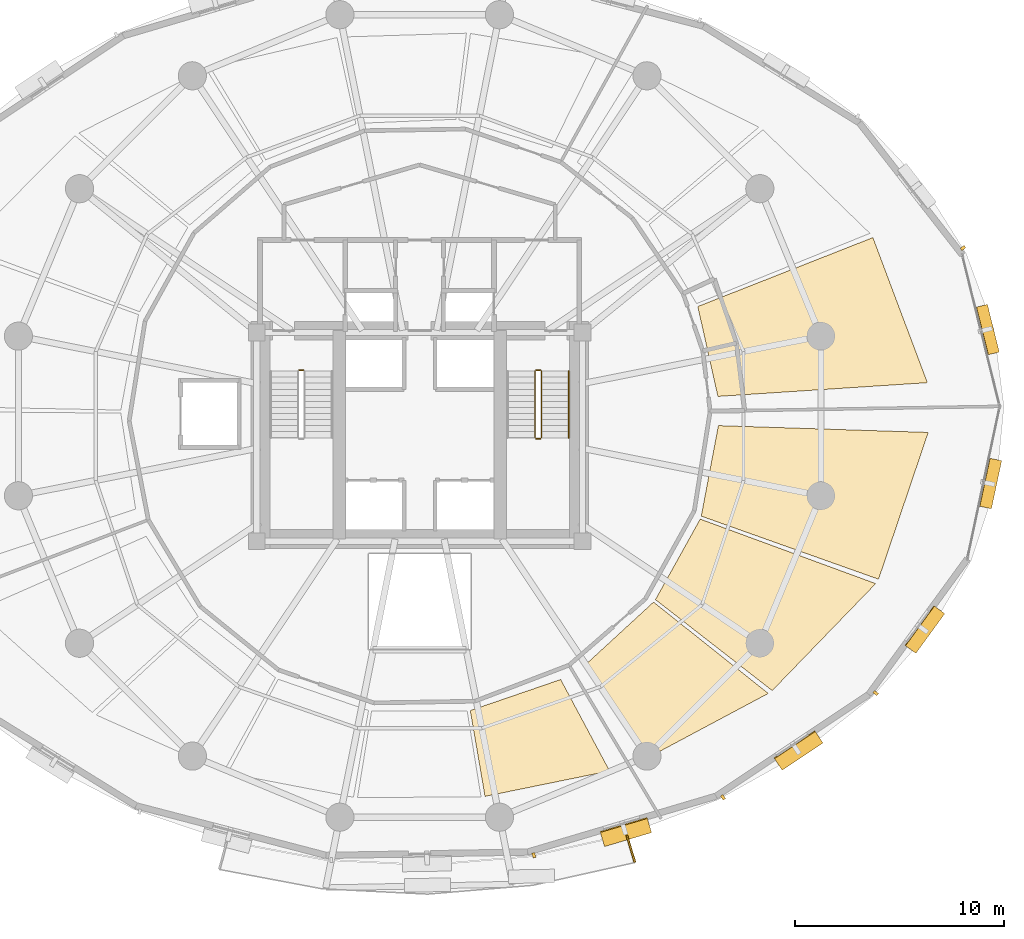
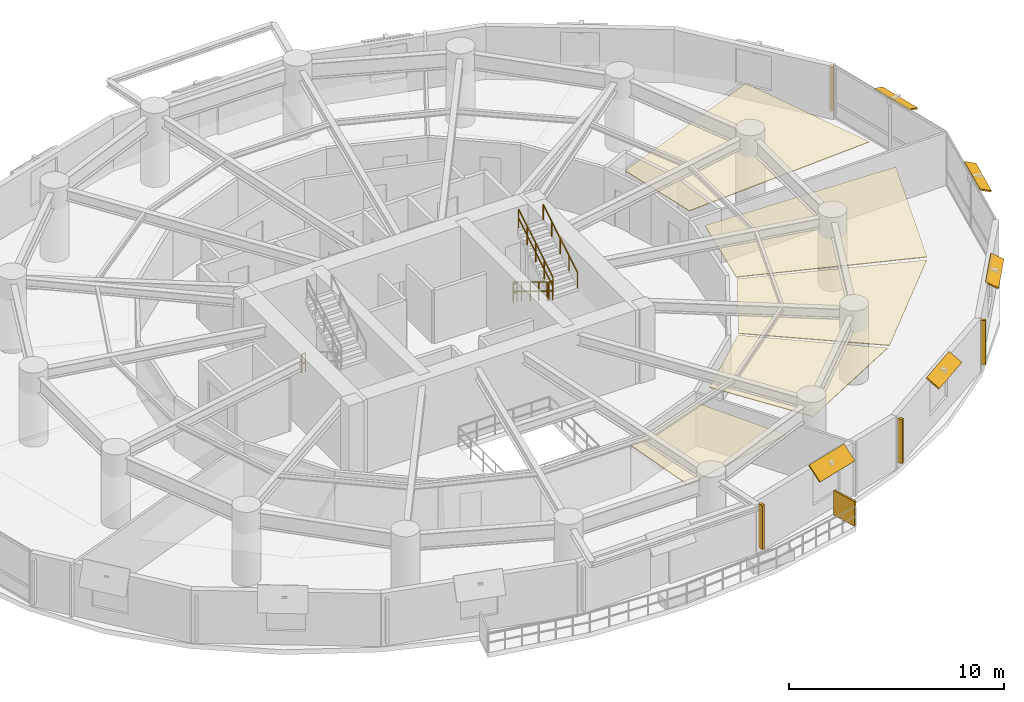
# One storey, part 16 of 17: 10 shading devices, 6 railings, 5 coverings.
"""IFC4 building model written with IfcOpenShell, lengths in metres."""

from ifc_helpers import new_model, si_unit, direction, frame, origin, origin_2d, place, context, subcontext, project, spatial, polyline, rectangle, outline, extrude, material, layer, layer_set, type_object, element, save


model = new_model("IFC4")

# Units and contexts
model_context = context("Model", 3, precision=1e-05, world=origin(), true_north=direction((0.0, 1.0)))
body_context = subcontext(model_context, "Body", "Model", "MODEL_VIEW")
ifc_project = project(units=[si_unit("LENGTHUNIT", "METRE"), si_unit("AREAUNIT", "SQUARE_METRE"), si_unit("VOLUMEUNIT", "CUBIC_METRE"), si_unit("PLANEANGLEUNIT", "RADIAN"), si_unit("MASSUNIT", "GRAM", prefix="KILO"), si_unit("THERMODYNAMICTEMPERATUREUNIT", "KELVIN"), si_unit("POWERUNIT", "WATT")], contexts=[model_context])

# Site, building, storey
site_placement = place(None, origin())
site = spatial("IfcSite", under=ifc_project, at=site_placement, CompositionType="ELEMENT")
building_placement = place(site_placement, origin())
building = spatial("IfcBuilding", under=site, at=building_placement, Name="Ocrelia Relay Tower", CompositionType="ELEMENT")
storey_placement = place(building_placement, frame((0.0, 0.0, 34.199951171875)))
storey = spatial("IfcBuildingStorey", under=building, at=storey_placement, Name="L07", CompositionType="ELEMENT", Elevation=34.199951171875)

# Coverings
ifc_material_1 = material(Name="Mineral-fiber acoustic ceiling tile", Category="gypsum")
ifc_layer_1 = layer(ifc_material_1, 0.0400390625, Name="Mineral-fiber acoustic ceiling tile")
ifc_layer_set_1 = layer_set([ifc_layer_1], Name="Mineral-fiber acoustic ceiling tile")
covering_type_1 = type_object("IfcCoveringType", Name="COV-CEIL-ACOUSTIC", PredefinedType="CEILING", material=ifc_layer_set_1)
covering_1_placement = place(storey_placement, frame((0.0, 0.0, 2.920166015625)))
element("IfcCovering", 1, at=covering_1_placement, inside=storey, type_object=covering_type_1, Name="L07 Operations Control Office Suspended Ceiling 1", PredefinedType="CEILING", context=body_context, shape_type="SweptSolid", body=[
    extrude(outline(polyline([(48.289306640625, 26.9365234375), (58.32568359375, 27.594482421875), (55.714111328125, 34.546142578125), (47.3251953125, 31.244384765625), (48.289306640625, 26.9365234375)])), origin(), (0.0, 0.0, 1.0), 0.039794921875),
])
ifc_material_2 = material(Name="Cleanroom metal-pan acoustic ceiling", Category="aluminium")
ifc_layer_2 = layer(ifc_material_2, 0.0400390625, Name="Cleanroom metal-pan acoustic ceiling")
ifc_layer_set_2 = layer_set([ifc_layer_2], Name="Cleanroom metal-pan acoustic ceiling")
covering_type_2 = type_object("IfcCoveringType", Name="COV-CEIL-CLEAN", PredefinedType="CEILING", material=ifc_layer_set_2)
covering_2_placement = place(storey_placement, frame((0.0, 0.0, 2.920166015625)))
element("IfcCovering", 2, at=covering_2_placement, inside=storey, type_object=covering_type_2, Name="L07 Hardware Testing Laboratory Suspended Ceiling 5", PredefinedType="CEILING", context=body_context, shape_type="SweptSolid", body=[
    extrude(outline(polyline([(36.425048828125, 11.88671875), (37.1318359375, 7.7734375), (43.1005859375, 8.991943359375), (40.755859375, 13.373779296875), (36.425048828125, 11.88671875)])), origin(), (0.0, 0.0, 1.0), 0.039794921875),
])
covering_3_placement = place(storey_placement, frame((0.0, 0.0, 2.920166015625)))
element("IfcCovering", 3, at=covering_3_placement, inside=storey, type_object=covering_type_2, Name="L07 Telemetry Operations Studio Suspended Ceiling 1", PredefinedType="CEILING", context=body_context, shape_type="SweptSolid", body=[
    extrude(outline(polyline([(41.955810546875, 14.093505859375), (44.93798828125, 9.6298828125), (50.70263671875, 12.7060546875), (45.204345703125, 17.082275390625), (41.955810546875, 14.093505859375)])), origin(), (0.0, 0.0, 1.0), 0.039794921875),
])
covering_4_placement = place(storey_placement, frame((0.0, 0.0, 2.920166015625)))
element("IfcCovering", 4, at=covering_4_placement, inside=storey, type_object=covering_type_2, Name="L07 Telemetry Operations Studio Suspended Ceiling 2", PredefinedType="CEILING", context=body_context, shape_type="SweptSolid", body=[
    extrude(outline(polyline([(45.297119140625, 17.2001953125), (50.891357421875, 12.842529296875), (55.849853515625, 17.968017578125), (47.440673828125, 21.05908203125), (45.297119140625, 17.2001953125)])), origin(), (0.0, 0.0, 1.0), 0.039794921875),
])
covering_5_placement = place(storey_placement, frame((0.0, 0.0, 2.920166015625)))
element("IfcCovering", 5, at=covering_5_placement, inside=storey, type_object=covering_type_2, Name="L07 Telemetry Operations Studio Suspended Ceiling 3", PredefinedType="CEILING", context=body_context, shape_type="SweptSolid", body=[
    extrude(outline(polyline([(47.49169921875, 21.2001953125), (55.985595703125, 18.178466796875), (58.365234375, 25.212890625), (48.3125, 25.53759765625), (47.49169921875, 21.2001953125)])), origin(), (0.0, 0.0, 1.0), 0.039794921875),
])

# Railings
ifc_material_3 = material(Name="Steel S355 balustrade", Category="steel")
railing_type_1 = type_object("IfcRailingType", Name="RL-STAIR-GUARD", PredefinedType="GUARDRAIL", material=ifc_material_3)
railing_1_placement = place(storey_placement, frame((28.22998046875, 28.199951171875, 0.0)))
element("IfcRailing", 6, at=railing_1_placement, inside=storey, type_object=railing_type_1, Name="L07 ST1 stair guard 4", PredefinedType="GUARDRAIL", context=body_context, shape_type="SweptSolid", body=[
    extrude(rectangle(XDim=0.048095703125, YDim=0.048095703125, at=origin_2d()), frame((0.0, 0.0, 1.076171875), z_axis=(1.0, 0.0, 0.0), x_axis=(0.0, 1.0, 0.0)), (0.0, 0.0, 1.0), 0.199951171875),
    extrude(rectangle(XDim=0.048095703125, YDim=0.048095703125, at=origin_2d()), frame((0.0, 0.0, 0.550048828125), z_axis=(1.0, 0.0, 0.0), x_axis=(0.0, 1.0, 0.0)), (0.0, 0.0, 1.0), 0.199951171875),
    extrude(rectangle(XDim=0.0419921875, YDim=0.0419921875, at=origin_2d()), origin(), (0.0, 0.0, 1.0), 1.052001953125),
    extrude(rectangle(XDim=0.0419921875, YDim=0.0419921875, at=origin_2d()), frame((0.199951171875, 0.0, 0.0)), (0.0, 0.0, 1.0), 1.052001953125),
])
railing_2_placement = place(storey_placement, frame((39.530029296875, 28.14990234375, 0.175048828125)))
element("IfcRailing", 7, at=railing_2_placement, inside=storey, type_object=railing_type_1, Name="L07 ST2 stair guard 1", PredefinedType="GUARDRAIL", context=body_context, shape_type="SweptSolid", body=[
    extrude(rectangle(XDim=0.048095703125, YDim=0.048095703125, at=origin_2d()), frame((0.0, 0.0, 1.076171875), z_axis=(0.0, -0.856177665481, 0.516681531633), x_axis=(1.0, 0.0, 0.0)), (0.0, 0.0, 1.0), 3.725830078125),
    extrude(rectangle(XDim=0.048095703125, YDim=0.048095703125, at=origin_2d()), frame((0.0, 0.0, 0.550048828125), z_axis=(0.0, -0.856177665481, 0.516681531633), x_axis=(1.0, 0.0, 0.0)), (0.0, 0.0, 1.0), 3.725830078125),
    extrude(rectangle(XDim=0.0419921875, YDim=0.0419921875, at=origin_2d()), origin(), (0.0, 0.0, 1.0), 1.052001953125),
    extrude(rectangle(XDim=0.0419921875, YDim=0.0419921875, at=origin_2d()), frame((0.0, -0.79736328125, 0.481201171875)), (0.0, 0.0, 1.0), 1.052001953125),
    extrude(rectangle(XDim=0.0419921875, YDim=0.0419921875, at=origin_2d()), frame((0.0, -1.594970703125, 0.96240234375)), (0.0, 0.0, 1.0), 1.052001953125),
    extrude(rectangle(XDim=0.0419921875, YDim=0.0419921875, at=origin_2d()), frame((0.0, -2.392578125, 1.44384765625)), (0.0, 0.0, 1.0), 1.052001953125),
    extrude(rectangle(XDim=0.0419921875, YDim=0.0419921875, at=origin_2d()), frame((0.0, -3.18994140625, 1.925048828125)), (0.0, 0.0, 1.0), 1.052001953125),
])
railing_3_placement = place(storey_placement, frame((39.580078125, 24.909912109375, 2.10009765625)))
element("IfcRailing", 8, at=railing_3_placement, inside=storey, type_object=railing_type_1, Name="L07 ST2 stair guard 2", PredefinedType="GUARDRAIL", context=body_context, shape_type="SweptSolid", body=[
    extrude(rectangle(XDim=0.048095703125, YDim=0.048095703125, at=origin_2d()), frame((0.0, 0.0, 1.076171875), z_axis=(1.0, 0.0, 0.0), x_axis=(0.0, 1.0, 0.0)), (0.0, 0.0, 1.0), 0.199951171875),
    extrude(rectangle(XDim=0.048095703125, YDim=0.048095703125, at=origin_2d()), frame((0.0, 0.0, 0.550048828125), z_axis=(1.0, 0.0, 0.0), x_axis=(0.0, 1.0, 0.0)), (0.0, 0.0, 1.0), 0.199951171875),
    extrude(rectangle(XDim=0.0419921875, YDim=0.0419921875, at=origin_2d()), origin(), (0.0, 0.0, 1.0), 1.052001953125),
    extrude(rectangle(XDim=0.0419921875, YDim=0.0419921875, at=origin_2d()), frame((0.199951171875, 0.0, 0.0)), (0.0, 0.0, 1.0), 1.052001953125),
])
railing_4_placement = place(storey_placement, frame((39.830078125, 24.9599609375, 2.275146484375)))
element("IfcRailing", 9, at=railing_4_placement, inside=storey, type_object=railing_type_1, Name="L07 ST2 stair guard 3", PredefinedType="GUARDRAIL", context=body_context, shape_type="SweptSolid", body=[
    extrude(rectangle(XDim=0.048095703125, YDim=0.048095703125, at=origin_2d()), frame((0.0, 0.0, 1.076171875), z_axis=(0.0, 0.856206652436, 0.516633495163), x_axis=(-1.0, 0.0, 0.0)), (0.0, 0.0, 1.0), 3.7255859375),
    extrude(rectangle(XDim=0.048095703125, YDim=0.048095703125, at=origin_2d()), frame((0.0, 0.0, 0.550048828125), z_axis=(0.0, 0.856206652436, 0.516633495163), x_axis=(-1.0, 0.0, 0.0)), (0.0, 0.0, 1.0), 3.7255859375),
    extrude(rectangle(XDim=0.0419921875, YDim=0.0419921875, at=origin_2d()), origin(), (0.0, 0.0, 1.0), 1.052001953125),
    extrude(rectangle(XDim=0.0419921875, YDim=0.0419921875, at=origin_2d()), frame((0.0, 0.79736328125, 0.481201171875)), (0.0, 0.0, 1.0), 1.052001953125),
    extrude(rectangle(XDim=0.0419921875, YDim=0.0419921875, at=origin_2d()), frame((0.0, 1.594970703125, 0.96240234375)), (0.0, 0.0, 1.0), 1.052001953125),
    extrude(rectangle(XDim=0.0419921875, YDim=0.0419921875, at=origin_2d()), frame((0.0, 2.392578125, 1.443603515625)), (0.0, 0.0, 1.0), 1.052001953125),
    extrude(rectangle(XDim=0.0419921875, YDim=0.0419921875, at=origin_2d()), frame((0.0, 3.18994140625, 1.9248046875)), (0.0, 0.0, 1.0), 1.052001953125),
])
railing_5_placement = place(storey_placement, frame((39.580078125, 28.199951171875, 0.0)))
element("IfcRailing", 10, at=railing_5_placement, inside=storey, type_object=railing_type_1, Name="L07 ST2 stair guard 4", PredefinedType="GUARDRAIL", context=body_context, shape_type="SweptSolid", body=[
    extrude(rectangle(XDim=0.048095703125, YDim=0.048095703125, at=origin_2d()), frame((0.0, 0.0, 1.076171875), z_axis=(1.0, 0.0, 0.0), x_axis=(0.0, 1.0, 0.0)), (0.0, 0.0, 1.0), 0.199951171875),
    extrude(rectangle(XDim=0.048095703125, YDim=0.048095703125, at=origin_2d()), frame((0.0, 0.0, 0.550048828125), z_axis=(1.0, 0.0, 0.0), x_axis=(0.0, 1.0, 0.0)), (0.0, 0.0, 1.0), 0.199951171875),
    extrude(rectangle(XDim=0.0419921875, YDim=0.0419921875, at=origin_2d()), origin(), (0.0, 0.0, 1.0), 1.052001953125),
    extrude(rectangle(XDim=0.0419921875, YDim=0.0419921875, at=origin_2d()), frame((0.199951171875, 0.0, 0.0)), (0.0, 0.0, 1.0), 1.052001953125),
])
ifc_material_4 = material(Name="Steel S355 tubular handrail", Category="steel")
railing_type_2 = type_object("IfcRailingType", Name="RL-STAIR-HAND", PredefinedType="HANDRAIL", material=ifc_material_4)
railing_6_placement = place(storey_placement, frame((41.14990234375, 24.9599609375, 2.275146484375)))
element("IfcRailing", 11, at=railing_6_placement, inside=storey, type_object=railing_type_2, Name="L07 ST2 stair handrail 2", PredefinedType="HANDRAIL", context=body_context, shape_type="SweptSolid", body=[
    extrude(rectangle(XDim=0.048095703125, YDim=0.048095703125, at=origin_2d()), frame((0.0, 0.0, 0.8759765625), z_axis=(0.0, 0.856206652436, 0.516633495163), x_axis=(-1.0, 0.0, 0.0)), (0.0, 0.0, 1.0), 3.7255859375),
    extrude(rectangle(XDim=0.0419921875, YDim=0.0419921875, at=origin_2d()), origin(), (0.0, 0.0, 1.0), 0.851806640625),
    extrude(rectangle(XDim=0.0419921875, YDim=0.0419921875, at=origin_2d()), frame((0.0, 0.79736328125, 0.481201171875)), (0.0, 0.0, 1.0), 0.851806640625),
    extrude(rectangle(XDim=0.0419921875, YDim=0.0419921875, at=origin_2d()), frame((0.0, 1.594970703125, 0.96240234375)), (0.0, 0.0, 1.0), 0.851806640625),
    extrude(rectangle(XDim=0.0419921875, YDim=0.0419921875, at=origin_2d()), frame((0.0, 2.392578125, 1.443603515625)), (0.0, 0.0, 1.0), 0.851806640625),
    extrude(rectangle(XDim=0.0419921875, YDim=0.0419921875, at=origin_2d()), frame((0.0, 3.18994140625, 1.9248046875)), (0.0, 0.0, 1.0), 0.851806640625),
])

# Shading devices
ifc_material_5 = material(Name="Perforated oxide terracotta solar screen", Category="masonry")
ifc_layer_3 = layer(ifc_material_5, 0.090087890625, Name="Perforated oxide terracotta solar screen")
ifc_layer_set_3 = layer_set([ifc_layer_3], Name="Perforated oxide terracotta solar screen")
shading_device_type_1 = type_object("IfcShadingDeviceType", Name="SH-BALC-SCREEN", PredefinedType="USERDEFINED", material=ifc_layer_set_3)
shading_device_1_placement = place(storey_placement, frame((44.117919921875, 5.26171875, 0.0), z_axis=(0.0, 0.0, 1.0), x_axis=(0.285905706582, -0.958257756005, 0.0)))
element("IfcShadingDevice", 12, at=shading_device_1_placement, inside=storey, type_object=shading_device_type_1, Name="L07 Balcony Perforated Terracotta Screen B2-2", ObjectType="SCREEN", PredefinedType="USERDEFINED", context=body_context, shape_type="SweptSolid", body=[
    extrude(rectangle(XDim=1.340087890625, YDim=0.090087890625, at=origin_2d()), origin(), (0.0, 0.0, 1.0), 1.39990234375),
])
ifc_material_6 = material(Name="Extruded oxide terracotta vertical baguette", Category="masonry")
shading_device_type_2 = type_object("IfcShadingDeviceType", Name="SH-TERR-BAGUETTE", PredefinedType="USERDEFINED", material=ifc_material_6)
for number, where, z_axis, x_axis, name in (
    (13, (60.032958984375, 34.0478515625, 0.25), (0.0, 0.0, 1.0), (-0.614968860036, 0.788551394131, 0.0), "L07 Oxide Terracotta Vertical Baguette 02"),
    (14, (39.469970703125, 4.954345703125, 0.25), (0.0, 0.0, 1.0), (0.958658542591, 0.28455895473, 0.0), "L07 Oxide Terracotta Vertical Baguette 15"),
    (15, (48.53125, 7.728515625, 0.25), (0.0, 0.0, 1.0), (0.832080038221, 0.554655577808, 0.0), "L07 Oxide Terracotta Vertical Baguette 16"),
    (16, (55.847412109375, 12.722412109375, 0.25), (0.0, 0.0, 1.0), (0.58847927346, 0.808512303375, 0.0), "L07 Oxide Terracotta Vertical Baguette 17"),
):
    element("IfcShadingDevice", number, at=place(storey_placement, frame(where, z_axis=z_axis, x_axis=x_axis)), inside=storey, type_object=shading_device_type_2, Name=name, ObjectType="BAGUETTE", PredefinedType="USERDEFINED", context=body_context, shape_type="SweptSolid", body=[
        extrude(rectangle(XDim=0.139892578125, YDim=0.239990234375, at=origin_2d()), origin(), (0.0, 0.0, 1.0), 2.5),
    ])
ifc_material_7 = material(Name="Extruded oxide terracotta fin", Category="masonry")
ifc_layer_4 = layer(ifc_material_7, 0.080078125, Name="Extruded oxide terracotta fin")
ifc_layer_set_4 = layer_set([ifc_layer_4], Name="Extruded oxide terracotta fin")
shading_device_type_3 = type_object("IfcShadingDeviceType", Name="SH-VISOR-FIN-MED", PredefinedType="USERDEFINED", material=ifc_layer_set_4)
shading_device_2_placement = place(storey_placement, frame((43.86962890625, 6.092529296875, 2.81005859375), z_axis=(0.188293949935, -0.63434870217, 0.74976470474), x_axis=(0.958658542591, 0.28455895473, 0.0)))
element("IfcShadingDevice", 17, at=shading_device_2_placement, inside=storey, type_object=shading_device_type_3, Name="L07 Canted Terracotta Sun-Visor Fin 15", ObjectType="FIN", PredefinedType="USERDEFINED", context=body_context, shape_type="SweptSolid", body=[
    extrude(rectangle(XDim=2.35009765625, YDim=0.94091796875, at=origin_2d()), origin(), (0.0, 0.0, 1.0), 0.080078125),
])
shading_device_3_placement = place(storey_placement, frame((52.1357421875, 9.99072265625, 2.806396484375), z_axis=(0.29728105177, -0.445973391084, 0.844234393225), x_axis=(0.832080038221, 0.554655577808, 0.0)))
element("IfcShadingDevice", 18, at=shading_device_3_placement, inside=storey, type_object=shading_device_type_3, Name="L07 Canted Terracotta Sun-Visor Fin 16", ObjectType="FIN", PredefinedType="USERDEFINED", context=body_context, shape_type="SweptSolid", body=[
    extrude(rectangle(XDim=2.35009765625, YDim=0.7900390625, at=origin_2d()), origin(), (0.0, 0.0, 1.0), 0.080078125),
])
ifc_layer_5 = layer(ifc_material_7, 0.080078125, Name="Extruded oxide terracotta fin")
ifc_layer_set_5 = layer_set([ifc_layer_5], Name="Extruded oxide terracotta fin")
shading_device_type_4 = type_object("IfcShadingDeviceType", Name="SH-VISOR-FIN-SHAL", PredefinedType="USERDEFINED", material=ifc_layer_set_5)
shading_device_4_placement = place(storey_placement, frame((61.19970703125, 30.1337890625, 2.80224609375), z_axis=(0.315540088221, 0.078146864453, 0.945688913069), x_axis=(-0.240397865841, 0.970674438779, 0.0)))
element("IfcShadingDevice", 19, at=shading_device_4_placement, inside=storey, type_object=shading_device_type_4, Name="L07 Canted Terracotta Sun-Visor Fin 01", ObjectType="FIN", PredefinedType="USERDEFINED", context=body_context, shape_type="SweptSolid", body=[
    extrude(rectangle(XDim=2.35009765625, YDim=0.56591796875, at=origin_2d()), origin(), (0.0, 0.0, 1.0), 0.080078125),
])
shading_device_5_placement = place(storey_placement, frame((58.189453125, 15.780029296875, 2.803955078125), z_axis=(0.353286553065, -0.257141187837, 0.899481528961), x_axis=(0.58847927346, 0.808512303375, 0.0)))
element("IfcShadingDevice", 20, at=shading_device_5_placement, inside=storey, type_object=shading_device_type_4, Name="L07 Canted Terracotta Sun-Visor Fin 17", ObjectType="FIN", PredefinedType="USERDEFINED", context=body_context, shape_type="SweptSolid", body=[
    extrude(rectangle(XDim=2.35009765625, YDim=0.681884765625, at=origin_2d()), origin(), (0.0, 0.0, 1.0), 0.080078125),
])
shading_device_6_placement = place(storey_placement, frame((61.33251953125, 22.769287109375, 2.802978515625), z_axis=(0.35990710161, -0.07657095206, 0.929840721582), x_axis=(0.208094574378, 0.978108709763, 0.0)))
element("IfcShadingDevice", 21, at=shading_device_6_placement, inside=storey, type_object=shading_device_type_4, Name="L07 Canted Terracotta Sun-Visor Fin 18", ObjectType="FIN", PredefinedType="USERDEFINED", context=body_context, shape_type="SweptSolid", body=[
    extrude(rectangle(XDim=2.35009765625, YDim=0.610107421875, at=origin_2d()), origin(), (0.0, 0.0, 1.0), 0.080078125),
])

save(model, "model.ifc")
